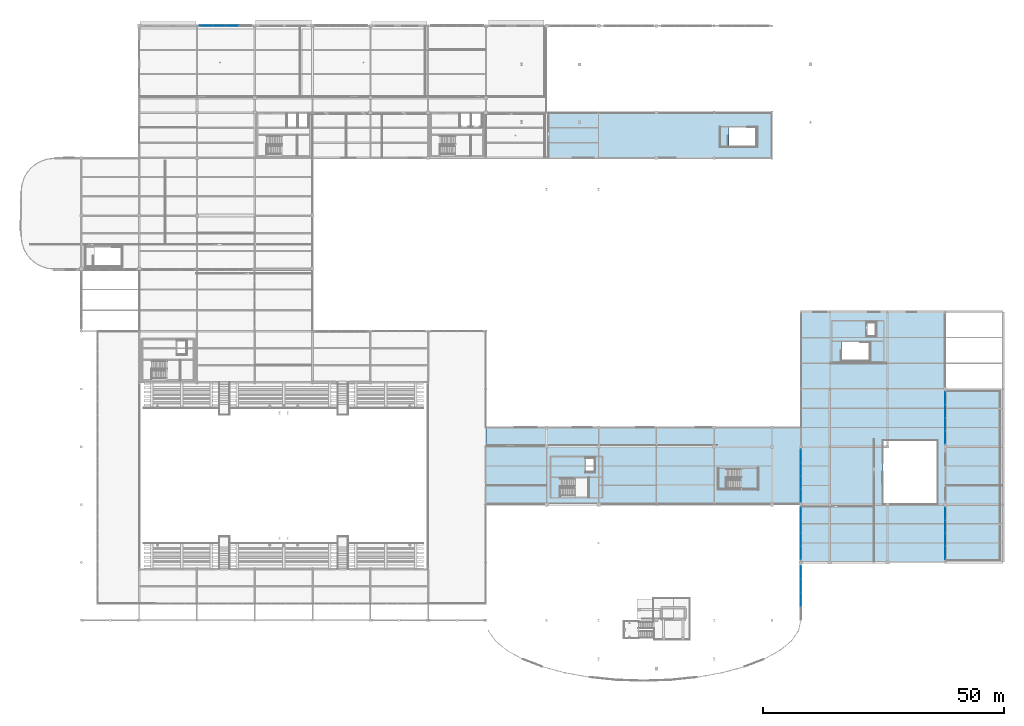
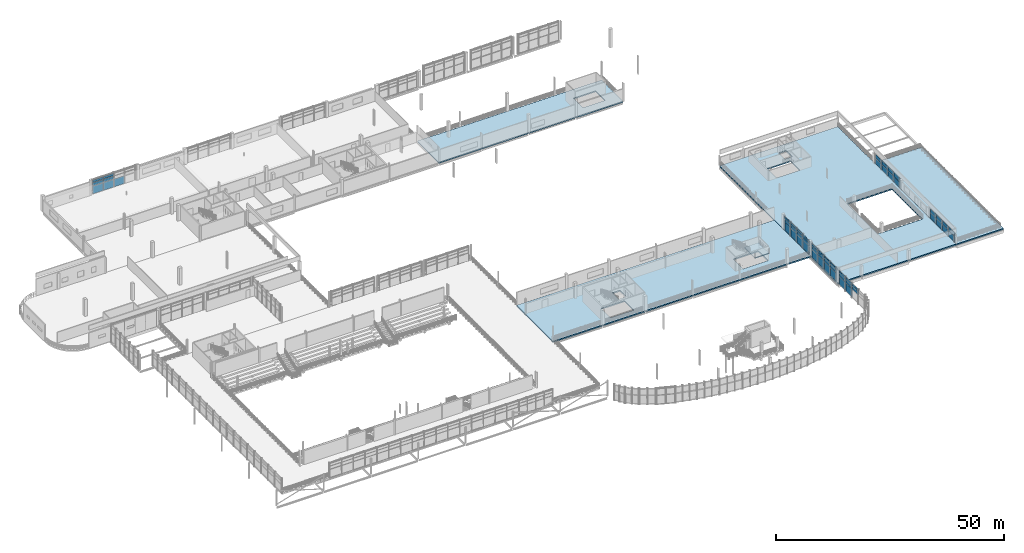
# One storey, part 61 of 89: 55 plates, 5 slabs, 7 elements without a shape of their own.
"""IFC4 building model written with IfcOpenShell, lengths in metres."""

from ifc_helpers import new_model, si_unit, direction, frame, origin, origin_2d, place, context, subcontext, project, spatial, polyline, rectangle, outline, extrude, material, layer, layer_set, type_object, element, aggregate, save


model = new_model("IFC4")

# Units and contexts
model_context = context("Model", 3, precision=1e-05, world=origin(), true_north=direction((0.0, 1.0)))
body_context = subcontext(model_context, "Body", "Model", "MODEL_VIEW")
ifc_project = project(units=[si_unit("LENGTHUNIT", "METRE"), si_unit("AREAUNIT", "SQUARE_METRE"), si_unit("VOLUMEUNIT", "CUBIC_METRE"), si_unit("PLANEANGLEUNIT", "RADIAN"), si_unit("MASSUNIT", "GRAM", prefix="KILO"), si_unit("THERMODYNAMICTEMPERATUREUNIT", "KELVIN"), si_unit("POWERUNIT", "WATT")], contexts=[model_context])

# Site, building, storey
site_placement = place(None, origin())
site = spatial("IfcSite", under=ifc_project, at=site_placement, CompositionType="ELEMENT")
building_placement = place(site_placement, origin())
building = spatial("IfcBuilding", under=site, at=building_placement, Name="Solmara Park Aquatics Centre", CompositionType="ELEMENT")
storey_placement = place(building_placement, frame((0.0, 0.0, 5.39990234375)))
storey = spatial("IfcBuildingStorey", under=building, at=storey_placement, Name="L01", CompositionType="ELEMENT", Elevation=5.39990234375)

# Curtain wall, plates
ifc_material_1 = material(Name="Anodised Aluminium Curtain Wall Framing", Category="aluminium")
curtain_wall_type_1 = type_object("IfcCurtainWallType", Name="ARC-CW-SYS06", PredefinedType="USERDEFINED", material=ifc_material_1)
curtain_wall_1_placement = place(storey_placement, origin())
curtain_wall_1 = element("IfcCurtainWall", 1, at=curtain_wall_1_placement, inside=storey, type_object=curtain_wall_type_1, Name="Curtain Wall CW-092", ObjectType="CURTAIN WALL", PredefinedType="USERDEFINED")
ifc_material_2 = material(Name="Double Low-E Solar-Control Glazing", Category="glass")
ifc_layer_1 = layer(ifc_material_2, 0.035888671875, Name="Double Low-E Solar-Control Glazing")
ifc_layer_set_1 = layer_set([ifc_layer_1], Name="Double Low-E Solar-Control Glazing")
plate_type_1 = type_object("IfcPlateType", Name="ARC-CWP-GLZ36-2620x1040", PredefinedType="CURTAIN_PANEL", material=ifc_layer_set_1)
plate_1_placement = place(storey_placement, frame((192.0, 26.530029296875, 1.63525390625), z_axis=(0.0, 0.0, 1.0), x_axis=(0.0, 1.0, 0.0)))
plate_1 = element("IfcPlate", 2, at=plate_1_placement, type_object=plate_type_1, Name="CW-092 panel 2", PredefinedType="CURTAIN_PANEL", context=body_context, shape_type="SweptSolid", body=[
    extrude(rectangle(XDim=2.6201171875, YDim=0.035888671875, at=origin_2d()), origin(), (0.0, 0.0, 1.0), 1.034912109375),
])
plate_2_placement = place(storey_placement, frame((192.0, 29.22998046875, 1.63525390625), z_axis=(0.0, 0.0, 1.0), x_axis=(0.0, 1.0, 0.0)))
plate_2 = element("IfcPlate", 3, at=plate_2_placement, type_object=plate_type_1, Name="CW-092 panel 4", PredefinedType="CURTAIN_PANEL", context=body_context, shape_type="SweptSolid", body=[
    extrude(rectangle(XDim=2.6201171875, YDim=0.035888671875, at=origin_2d()), origin(), (0.0, 0.0, 1.0), 1.034912109375),
])
plate_3_placement = place(storey_placement, frame((192.0, 31.929931640625, 1.63525390625), z_axis=(0.0, 0.0, 1.0), x_axis=(0.0, 1.0, 0.0)))
plate_3 = element("IfcPlate", 4, at=plate_3_placement, type_object=plate_type_1, Name="CW-092 panel 6", PredefinedType="CURTAIN_PANEL", context=body_context, shape_type="SweptSolid", body=[
    extrude(rectangle(XDim=2.6201171875, YDim=0.035888671875, at=origin_2d()), origin(), (0.0, 0.0, 1.0), 1.034912109375),
])
plate_4_placement = place(storey_placement, frame((192.0, 34.6298828125, 1.63525390625), z_axis=(0.0, 0.0, 1.0), x_axis=(0.0, 1.0, 0.0)))
plate_4 = element("IfcPlate", 5, at=plate_4_placement, type_object=plate_type_1, Name="CW-092 panel 8", PredefinedType="CURTAIN_PANEL", context=body_context, shape_type="SweptSolid", body=[
    extrude(rectangle(XDim=2.6201171875, YDim=0.035888671875, at=origin_2d()), origin(), (0.0, 0.0, 1.0), 1.034912109375),
])

curtain_wall_2_placement = place(storey_placement, origin())
curtain_wall_2 = element("IfcCurtainWall", 6, at=curtain_wall_2_placement, inside=storey, type_object=curtain_wall_type_1, Name="Curtain Wall CW-094", ObjectType="CURTAIN WALL", PredefinedType="USERDEFINED")
plate_5_placement = place(storey_placement, frame((192.0, 50.530029296875, 1.63525390625), z_axis=(0.0, 0.0, 1.0), x_axis=(0.0, 1.0, 0.0)))
plate_5 = element("IfcPlate", 7, at=plate_5_placement, type_object=plate_type_1, Name="CW-094 panel 2", PredefinedType="CURTAIN_PANEL", context=body_context, shape_type="SweptSolid", body=[
    extrude(rectangle(XDim=2.6201171875, YDim=0.035888671875, at=origin_2d()), origin(), (0.0, 0.0, 1.0), 1.034912109375),
])
plate_6_placement = place(storey_placement, frame((192.0, 53.22998046875, 1.63525390625), z_axis=(0.0, 0.0, 1.0), x_axis=(0.0, 1.0, 0.0)))
plate_6 = element("IfcPlate", 8, at=plate_6_placement, type_object=plate_type_1, Name="CW-094 panel 4", PredefinedType="CURTAIN_PANEL", context=body_context, shape_type="SweptSolid", body=[
    extrude(rectangle(XDim=2.6201171875, YDim=0.035888671875, at=origin_2d()), origin(), (0.0, 0.0, 1.0), 1.034912109375),
])
plate_7_placement = place(storey_placement, frame((192.0, 55.929931640625, 1.63525390625), z_axis=(0.0, 0.0, 1.0), x_axis=(0.0, 1.0, 0.0)))
plate_7 = element("IfcPlate", 9, at=plate_7_placement, type_object=plate_type_1, Name="CW-094 panel 6", PredefinedType="CURTAIN_PANEL", context=body_context, shape_type="SweptSolid", body=[
    extrude(rectangle(XDim=2.6201171875, YDim=0.035888671875, at=origin_2d()), origin(), (0.0, 0.0, 1.0), 1.034912109375),
])
plate_8_placement = place(storey_placement, frame((192.0, 58.6298828125, 1.63525390625), z_axis=(0.0, 0.0, 1.0), x_axis=(0.0, 1.0, 0.0)))
plate_8 = element("IfcPlate", 10, at=plate_8_placement, type_object=plate_type_1, Name="CW-094 panel 8", PredefinedType="CURTAIN_PANEL", context=body_context, shape_type="SweptSolid", body=[
    extrude(rectangle(XDim=2.6201171875, YDim=0.035888671875, at=origin_2d()), origin(), (0.0, 0.0, 1.0), 1.034912109375),
])

# Plate
ifc_layer_2 = layer(ifc_material_2, 0.035888671875, Name="Double Low-E Solar-Control Glazing")
ifc_layer_set_2 = layer_set([ifc_layer_2], Name="Double Low-E Solar-Control Glazing")
plate_type_2 = type_object("IfcPlateType", Name="ARC-CWP-GLZ36-2620x1480", PredefinedType="CURTAIN_PANEL", material=ifc_layer_set_2)
plate_9_placement = place(storey_placement, frame((192.0, 26.530029296875, 0.080078125), z_axis=(0.0, 0.0, 1.0), x_axis=(0.0, 1.0, 0.0)))
plate_9 = element("IfcPlate", 11, at=plate_9_placement, type_object=plate_type_2, Name="CW-092 panel 1", PredefinedType="CURTAIN_PANEL", context=body_context, shape_type="SweptSolid", body=[
    extrude(rectangle(XDim=2.6201171875, YDim=0.035888671875, at=origin_2d()), origin(), (0.0, 0.0, 1.0), 1.47509765625),
])

plate_10_placement = place(storey_placement, frame((192.0, 29.22998046875, 0.080078125), z_axis=(0.0, 0.0, 1.0), x_axis=(0.0, 1.0, 0.0)))
plate_10 = element("IfcPlate", 12, at=plate_10_placement, type_object=plate_type_2, Name="CW-092 panel 3", PredefinedType="CURTAIN_PANEL", context=body_context, shape_type="SweptSolid", body=[
    extrude(rectangle(XDim=2.6201171875, YDim=0.035888671875, at=origin_2d()), origin(), (0.0, 0.0, 1.0), 1.47509765625),
])

plate_11_placement = place(storey_placement, frame((192.0, 31.929931640625, 0.080078125), z_axis=(0.0, 0.0, 1.0), x_axis=(0.0, 1.0, 0.0)))
plate_11 = element("IfcPlate", 13, at=plate_11_placement, type_object=plate_type_2, Name="CW-092 panel 5", PredefinedType="CURTAIN_PANEL", context=body_context, shape_type="SweptSolid", body=[
    extrude(rectangle(XDim=2.6201171875, YDim=0.035888671875, at=origin_2d()), origin(), (0.0, 0.0, 1.0), 1.47509765625),
])

plate_12_placement = place(storey_placement, frame((192.0, 34.6298828125, 0.080078125), z_axis=(0.0, 0.0, 1.0), x_axis=(0.0, 1.0, 0.0)))
plate_12 = element("IfcPlate", 14, at=plate_12_placement, type_object=plate_type_2, Name="CW-092 panel 7", PredefinedType="CURTAIN_PANEL", context=body_context, shape_type="SweptSolid", body=[
    extrude(rectangle(XDim=2.6201171875, YDim=0.035888671875, at=origin_2d()), origin(), (0.0, 0.0, 1.0), 1.47509765625),
])

aggregate(curtain_wall_1, [plate_9, plate_1, plate_10, plate_2, plate_11, plate_3, plate_12, plate_4])

plate_13_placement = place(storey_placement, frame((192.0, 50.530029296875, 0.080078125), z_axis=(0.0, 0.0, 1.0), x_axis=(0.0, 1.0, 0.0)))
plate_13 = element("IfcPlate", 15, at=plate_13_placement, type_object=plate_type_2, Name="CW-094 panel 1", PredefinedType="CURTAIN_PANEL", context=body_context, shape_type="SweptSolid", body=[
    extrude(rectangle(XDim=2.6201171875, YDim=0.035888671875, at=origin_2d()), origin(), (0.0, 0.0, 1.0), 1.47509765625),
])

plate_14_placement = place(storey_placement, frame((192.0, 53.22998046875, 0.080078125), z_axis=(0.0, 0.0, 1.0), x_axis=(0.0, 1.0, 0.0)))
plate_14 = element("IfcPlate", 16, at=plate_14_placement, type_object=plate_type_2, Name="CW-094 panel 3", PredefinedType="CURTAIN_PANEL", context=body_context, shape_type="SweptSolid", body=[
    extrude(rectangle(XDim=2.6201171875, YDim=0.035888671875, at=origin_2d()), origin(), (0.0, 0.0, 1.0), 1.47509765625),
])

plate_15_placement = place(storey_placement, frame((192.0, 55.929931640625, 0.080078125), z_axis=(0.0, 0.0, 1.0), x_axis=(0.0, 1.0, 0.0)))
plate_15 = element("IfcPlate", 17, at=plate_15_placement, type_object=plate_type_2, Name="CW-094 panel 5", PredefinedType="CURTAIN_PANEL", context=body_context, shape_type="SweptSolid", body=[
    extrude(rectangle(XDim=2.6201171875, YDim=0.035888671875, at=origin_2d()), origin(), (0.0, 0.0, 1.0), 1.47509765625),
])

plate_16_placement = place(storey_placement, frame((192.0, 58.6298828125, 0.080078125), z_axis=(0.0, 0.0, 1.0), x_axis=(0.0, 1.0, 0.0)))
plate_16 = element("IfcPlate", 18, at=plate_16_placement, type_object=plate_type_2, Name="CW-094 panel 7", PredefinedType="CURTAIN_PANEL", context=body_context, shape_type="SweptSolid", body=[
    extrude(rectangle(XDim=2.6201171875, YDim=0.035888671875, at=origin_2d()), origin(), (0.0, 0.0, 1.0), 1.47509765625),
])

aggregate(curtain_wall_2, [plate_13, plate_5, plate_14, plate_6, plate_15, plate_7, plate_16, plate_8])

# Curtain wall, plates
curtain_wall_type_2 = type_object("IfcCurtainWallType", Name="ARC-CW-SYS03", PredefinedType="USERDEFINED", material=ifc_material_1)
curtain_wall_3_placement = place(storey_placement, origin())
curtain_wall_3 = element("IfcCurtainWall", 19, at=curtain_wall_3_placement, inside=storey, type_object=curtain_wall_type_2, Name="Curtain Wall CW-078", ObjectType="CURTAIN WALL", PredefinedType="USERDEFINED")
ifc_layer_3 = layer(ifc_material_2, 0.035888671875, Name="Double Low-E Solar-Control Glazing")
ifc_layer_set_3 = layer_set([ifc_layer_3], Name="Double Low-E Solar-Control Glazing")
plate_type_3 = type_object("IfcPlateType", Name="ARC-CWP-GLZ36-2620x2140", PredefinedType="CURTAIN_PANEL", material=ifc_layer_set_3)
plate_17_placement = place(storey_placement, frame((162.0, 26.530029296875, 0.080078125), z_axis=(0.0, 0.0, 1.0), x_axis=(0.0, 1.0, 0.0)))
plate_17 = element("IfcPlate", 20, at=plate_17_placement, type_object=plate_type_3, Name="CW-078 panel 1", PredefinedType="CURTAIN_PANEL", context=body_context, shape_type="SweptSolid", body=[
    extrude(rectangle(XDim=2.6201171875, YDim=0.035888671875, at=origin_2d()), origin(), (0.0, 0.0, 1.0), 2.13037109375),
])
plate_18_placement = place(storey_placement, frame((162.0, 29.22998046875, 0.080078125), z_axis=(0.0, 0.0, 1.0), x_axis=(0.0, 1.0, 0.0)))
plate_18 = element("IfcPlate", 21, at=plate_18_placement, type_object=plate_type_3, Name="CW-078 panel 4", PredefinedType="CURTAIN_PANEL", context=body_context, shape_type="SweptSolid", body=[
    extrude(rectangle(XDim=2.6201171875, YDim=0.035888671875, at=origin_2d()), origin(), (0.0, 0.0, 1.0), 2.13037109375),
])
plate_19_placement = place(storey_placement, frame((162.0, 31.929931640625, 0.080078125), z_axis=(0.0, 0.0, 1.0), x_axis=(0.0, 1.0, 0.0)))
plate_19 = element("IfcPlate", 22, at=plate_19_placement, type_object=plate_type_3, Name="CW-078 panel 7", PredefinedType="CURTAIN_PANEL", context=body_context, shape_type="SweptSolid", body=[
    extrude(rectangle(XDim=2.6201171875, YDim=0.035888671875, at=origin_2d()), origin(), (0.0, 0.0, 1.0), 2.13037109375),
])
plate_20_placement = place(storey_placement, frame((162.0, 34.6298828125, 0.080078125), z_axis=(0.0, 0.0, 1.0), x_axis=(0.0, 1.0, 0.0)))
plate_20 = element("IfcPlate", 23, at=plate_20_placement, type_object=plate_type_3, Name="CW-078 panel 10", PredefinedType="CURTAIN_PANEL", context=body_context, shape_type="SweptSolid", body=[
    extrude(rectangle(XDim=2.6201171875, YDim=0.035888671875, at=origin_2d()), origin(), (0.0, 0.0, 1.0), 2.13037109375),
])

curtain_wall_4_placement = place(storey_placement, origin())
curtain_wall_4 = element("IfcCurtainWall", 24, at=curtain_wall_4_placement, inside=storey, type_object=curtain_wall_type_2, Name="Curtain Wall CW-081", ObjectType="CURTAIN WALL", PredefinedType="USERDEFINED")
plate_21_placement = place(storey_placement, frame((162.0, 38.530029296875, 0.080078125), z_axis=(0.0, 0.0, 1.0), x_axis=(0.0, 1.0, 0.0)))
plate_21 = element("IfcPlate", 25, at=plate_21_placement, type_object=plate_type_3, Name="CW-081 panel 1", PredefinedType="CURTAIN_PANEL", context=body_context, shape_type="SweptSolid", body=[
    extrude(rectangle(XDim=2.6201171875, YDim=0.035888671875, at=origin_2d()), origin(), (0.0, 0.0, 1.0), 2.13037109375),
])
plate_22_placement = place(storey_placement, frame((162.0, 41.22998046875, 0.080078125), z_axis=(0.0, 0.0, 1.0), x_axis=(0.0, 1.0, 0.0)))
plate_22 = element("IfcPlate", 26, at=plate_22_placement, type_object=plate_type_3, Name="CW-081 panel 4", PredefinedType="CURTAIN_PANEL", context=body_context, shape_type="SweptSolid", body=[
    extrude(rectangle(XDim=2.6201171875, YDim=0.035888671875, at=origin_2d()), origin(), (0.0, 0.0, 1.0), 2.13037109375),
])
plate_23_placement = place(storey_placement, frame((162.0, 43.929931640625, 0.080078125), z_axis=(0.0, 0.0, 1.0), x_axis=(0.0, 1.0, 0.0)))
plate_23 = element("IfcPlate", 27, at=plate_23_placement, type_object=plate_type_3, Name="CW-081 panel 7", PredefinedType="CURTAIN_PANEL", context=body_context, shape_type="SweptSolid", body=[
    extrude(rectangle(XDim=2.6201171875, YDim=0.035888671875, at=origin_2d()), origin(), (0.0, 0.0, 1.0), 2.13037109375),
])
plate_24_placement = place(storey_placement, frame((162.0, 46.6298828125, 0.080078125), z_axis=(0.0, 0.0, 1.0), x_axis=(0.0, 1.0, 0.0)))
plate_24 = element("IfcPlate", 28, at=plate_24_placement, type_object=plate_type_3, Name="CW-081 panel 10", PredefinedType="CURTAIN_PANEL", context=body_context, shape_type="SweptSolid", body=[
    extrude(rectangle(XDim=2.6201171875, YDim=0.035888671875, at=origin_2d()), origin(), (0.0, 0.0, 1.0), 2.13037109375),
])

curtain_wall_type_3 = type_object("IfcCurtainWallType", Name="ARC-CW-SYS04", PredefinedType="USERDEFINED", material=ifc_material_1)
curtain_wall_5_placement = place(storey_placement, origin())
curtain_wall_5 = element("IfcCurtainWall", 29, at=curtain_wall_5_placement, inside=storey, type_object=curtain_wall_type_3, Name="Curtain Wall CW-117", ObjectType="CURTAIN WALL", PredefinedType="USERDEFINED")
plate_25_placement = place(storey_placement, frame((38.530029296875, 136.0, 0.080078125), z_axis=(0.0, 0.0, 1.0), x_axis=(1.0, 0.0, 0.0)))
plate_25 = element("IfcPlate", 30, at=plate_25_placement, type_object=plate_type_3, Name="CW-117 panel 1", PredefinedType="CURTAIN_PANEL", context=body_context, shape_type="SweptSolid", body=[
    extrude(rectangle(XDim=2.6201171875, YDim=0.035888671875, at=origin_2d()), origin(), (0.0, 0.0, 1.0), 2.13037109375),
])
plate_26_placement = place(storey_placement, frame((41.22998046875, 136.0, 0.080078125), z_axis=(0.0, 0.0, 1.0), x_axis=(1.0, 0.0, 0.0)))
plate_26 = element("IfcPlate", 31, at=plate_26_placement, type_object=plate_type_3, Name="CW-117 panel 4", PredefinedType="CURTAIN_PANEL", context=body_context, shape_type="SweptSolid", body=[
    extrude(rectangle(XDim=2.6201171875, YDim=0.035888671875, at=origin_2d()), origin(), (0.0, 0.0, 1.0), 2.13037109375),
])
plate_27_placement = place(storey_placement, frame((43.929931640625, 136.0, 0.080078125), z_axis=(0.0, 0.0, 1.0), x_axis=(1.0, 0.0, 0.0)))
plate_27 = element("IfcPlate", 32, at=plate_27_placement, type_object=plate_type_3, Name="CW-117 panel 7", PredefinedType="CURTAIN_PANEL", context=body_context, shape_type="SweptSolid", body=[
    extrude(rectangle(XDim=2.6201171875, YDim=0.035888671875, at=origin_2d()), origin(), (0.0, 0.0, 1.0), 2.13037109375),
])

# Plate
ifc_layer_4 = layer(ifc_material_2, 0.035888671875, Name="Double Low-E Solar-Control Glazing")
ifc_layer_set_4 = layer_set([ifc_layer_4], Name="Double Low-E Solar-Control Glazing")
plate_type_4 = type_object("IfcPlateType", Name="ARC-CWP-GLZ36-2620x800", PredefinedType="CURTAIN_PANEL", material=ifc_layer_set_4)
plate_28_placement = place(storey_placement, frame((162.0, 26.530029296875, 2.29052734375), z_axis=(0.0, 0.0, 1.0), x_axis=(0.0, 1.0, 0.0)))
plate_28 = element("IfcPlate", 33, at=plate_28_placement, type_object=plate_type_4, Name="CW-078 panel 2", PredefinedType="CURTAIN_PANEL", context=body_context, shape_type="SweptSolid", body=[
    extrude(rectangle(XDim=2.6201171875, YDim=0.035888671875, at=origin_2d()), origin(), (0.0, 0.0, 1.0), 0.799560546875),
])

plate_29_placement = place(storey_placement, frame((162.0, 29.22998046875, 2.29052734375), z_axis=(0.0, 0.0, 1.0), x_axis=(0.0, 1.0, 0.0)))
plate_29 = element("IfcPlate", 34, at=plate_29_placement, type_object=plate_type_4, Name="CW-078 panel 5", PredefinedType="CURTAIN_PANEL", context=body_context, shape_type="SweptSolid", body=[
    extrude(rectangle(XDim=2.6201171875, YDim=0.035888671875, at=origin_2d()), origin(), (0.0, 0.0, 1.0), 0.799560546875),
])

plate_30_placement = place(storey_placement, frame((162.0, 31.929931640625, 2.29052734375), z_axis=(0.0, 0.0, 1.0), x_axis=(0.0, 1.0, 0.0)))
plate_30 = element("IfcPlate", 35, at=plate_30_placement, type_object=plate_type_4, Name="CW-078 panel 8", PredefinedType="CURTAIN_PANEL", context=body_context, shape_type="SweptSolid", body=[
    extrude(rectangle(XDim=2.6201171875, YDim=0.035888671875, at=origin_2d()), origin(), (0.0, 0.0, 1.0), 0.799560546875),
])

plate_31_placement = place(storey_placement, frame((162.0, 34.6298828125, 2.29052734375), z_axis=(0.0, 0.0, 1.0), x_axis=(0.0, 1.0, 0.0)))
plate_31 = element("IfcPlate", 36, at=plate_31_placement, type_object=plate_type_4, Name="CW-078 panel 11", PredefinedType="CURTAIN_PANEL", context=body_context, shape_type="SweptSolid", body=[
    extrude(rectangle(XDim=2.6201171875, YDim=0.035888671875, at=origin_2d()), origin(), (0.0, 0.0, 1.0), 0.799560546875),
])

plate_32_placement = place(storey_placement, frame((162.0, 38.530029296875, 2.29052734375), z_axis=(0.0, 0.0, 1.0), x_axis=(0.0, 1.0, 0.0)))
plate_32 = element("IfcPlate", 37, at=plate_32_placement, type_object=plate_type_4, Name="CW-081 panel 2", PredefinedType="CURTAIN_PANEL", context=body_context, shape_type="SweptSolid", body=[
    extrude(rectangle(XDim=2.6201171875, YDim=0.035888671875, at=origin_2d()), origin(), (0.0, 0.0, 1.0), 0.799560546875),
])

plate_33_placement = place(storey_placement, frame((162.0, 41.22998046875, 2.29052734375), z_axis=(0.0, 0.0, 1.0), x_axis=(0.0, 1.0, 0.0)))
plate_33 = element("IfcPlate", 38, at=plate_33_placement, type_object=plate_type_4, Name="CW-081 panel 5", PredefinedType="CURTAIN_PANEL", context=body_context, shape_type="SweptSolid", body=[
    extrude(rectangle(XDim=2.6201171875, YDim=0.035888671875, at=origin_2d()), origin(), (0.0, 0.0, 1.0), 0.799560546875),
])

plate_34_placement = place(storey_placement, frame((162.0, 43.929931640625, 2.29052734375), z_axis=(0.0, 0.0, 1.0), x_axis=(0.0, 1.0, 0.0)))
plate_34 = element("IfcPlate", 39, at=plate_34_placement, type_object=plate_type_4, Name="CW-081 panel 8", PredefinedType="CURTAIN_PANEL", context=body_context, shape_type="SweptSolid", body=[
    extrude(rectangle(XDim=2.6201171875, YDim=0.035888671875, at=origin_2d()), origin(), (0.0, 0.0, 1.0), 0.799560546875),
])

plate_35_placement = place(storey_placement, frame((162.0, 46.6298828125, 2.29052734375), z_axis=(0.0, 0.0, 1.0), x_axis=(0.0, 1.0, 0.0)))
plate_35 = element("IfcPlate", 40, at=plate_35_placement, type_object=plate_type_4, Name="CW-081 panel 11", PredefinedType="CURTAIN_PANEL", context=body_context, shape_type="SweptSolid", body=[
    extrude(rectangle(XDim=2.6201171875, YDim=0.035888671875, at=origin_2d()), origin(), (0.0, 0.0, 1.0), 0.799560546875),
])

plate_36_placement = place(storey_placement, frame((38.530029296875, 136.0, 2.29052734375), z_axis=(0.0, 0.0, 1.0), x_axis=(1.0, 0.0, 0.0)))
plate_36 = element("IfcPlate", 41, at=plate_36_placement, type_object=plate_type_4, Name="CW-117 panel 2", PredefinedType="CURTAIN_PANEL", context=body_context, shape_type="SweptSolid", body=[
    extrude(rectangle(XDim=2.6201171875, YDim=0.035888671875, at=origin_2d()), origin(), (0.0, 0.0, 1.0), 0.799560546875),
])

plate_37_placement = place(storey_placement, frame((41.22998046875, 136.0, 2.29052734375), z_axis=(0.0, 0.0, 1.0), x_axis=(1.0, 0.0, 0.0)))
plate_37 = element("IfcPlate", 42, at=plate_37_placement, type_object=plate_type_4, Name="CW-117 panel 5", PredefinedType="CURTAIN_PANEL", context=body_context, shape_type="SweptSolid", body=[
    extrude(rectangle(XDim=2.6201171875, YDim=0.035888671875, at=origin_2d()), origin(), (0.0, 0.0, 1.0), 0.799560546875),
])

# Curtain wall, plates
curtain_wall_6_placement = place(storey_placement, origin())
curtain_wall_6 = element("IfcCurtainWall", 43, at=curtain_wall_6_placement, inside=storey, type_object=curtain_wall_type_2, Name="Curtain Wall CW-075", ObjectType="CURTAIN WALL", PredefinedType="USERDEFINED")
ifc_layer_5 = layer(ifc_material_2, 0.035888671875, Name="Double Low-E Solar-Control Glazing")
ifc_layer_set_5 = layer_set([ifc_layer_5], Name="Double Low-E Solar-Control Glazing")
plate_type_5 = type_object("IfcPlateType", Name="ARC-CWP-GLZ36-2760x2140", PredefinedType="CURTAIN_PANEL", material=ifc_layer_set_5)
plate_38_placement = place(storey_placement, frame((162.0, 19.719970703125, 0.080078125), z_axis=(0.0, 0.0, 1.0), x_axis=(0.0, 1.0, 0.0)))
plate_38 = element("IfcPlate", 44, at=plate_38_placement, type_object=plate_type_5, Name="CW-075 panel 7", PredefinedType="CURTAIN_PANEL", context=body_context, shape_type="SweptSolid", body=[
    extrude(rectangle(XDim=2.760009765625, YDim=0.035888671875, at=origin_2d()), origin(), (0.0, 0.0, 1.0), 2.13037109375),
])
plate_39_placement = place(storey_placement, frame((162.0, 22.56005859375, 0.080078125), z_axis=(0.0, 0.0, 1.0), x_axis=(0.0, 1.0, 0.0)))
plate_39 = element("IfcPlate", 45, at=plate_39_placement, type_object=plate_type_5, Name="CW-075 panel 10", PredefinedType="CURTAIN_PANEL", context=body_context, shape_type="SweptSolid", body=[
    extrude(rectangle(XDim=2.760009765625, YDim=0.035888671875, at=origin_2d()), origin(), (0.0, 0.0, 1.0), 2.13037109375),
])
ifc_layer_6 = layer(ifc_material_2, 0.035888671875, Name="Double Low-E Solar-Control Glazing")
ifc_layer_set_6 = layer_set([ifc_layer_6], Name="Double Low-E Solar-Control Glazing")
plate_type_6 = type_object("IfcPlateType", Name="ARC-CWP-GLZ36-2760x800", PredefinedType="CURTAIN_PANEL", material=ifc_layer_set_6)
plate_40_placement = place(storey_placement, frame((162.0, 16.8798828125, 2.29052734375), z_axis=(0.0, 0.0, 1.0), x_axis=(0.0, 1.0, 0.0)))
plate_40 = element("IfcPlate", 46, at=plate_40_placement, type_object=plate_type_6, Name="CW-075 panel 5", PredefinedType="CURTAIN_PANEL", context=body_context, shape_type="SweptSolid", body=[
    extrude(rectangle(XDim=2.760009765625, YDim=0.035888671875, at=origin_2d()), origin(), (0.0, 0.0, 1.0), 0.799560546875),
])
plate_41_placement = place(storey_placement, frame((162.0, 19.719970703125, 2.29052734375), z_axis=(0.0, 0.0, 1.0), x_axis=(0.0, 1.0, 0.0)))
plate_41 = element("IfcPlate", 47, at=plate_41_placement, type_object=plate_type_6, Name="CW-075 panel 8", PredefinedType="CURTAIN_PANEL", context=body_context, shape_type="SweptSolid", body=[
    extrude(rectangle(XDim=2.760009765625, YDim=0.035888671875, at=origin_2d()), origin(), (0.0, 0.0, 1.0), 0.799560546875),
])
plate_42_placement = place(storey_placement, frame((162.0, 22.56005859375, 2.29052734375), z_axis=(0.0, 0.0, 1.0), x_axis=(0.0, 1.0, 0.0)))
plate_42 = element("IfcPlate", 48, at=plate_42_placement, type_object=plate_type_6, Name="CW-075 panel 11", PredefinedType="CURTAIN_PANEL", context=body_context, shape_type="SweptSolid", body=[
    extrude(rectangle(XDim=2.760009765625, YDim=0.035888671875, at=origin_2d()), origin(), (0.0, 0.0, 1.0), 0.799560546875),
])

# Plate
ifc_material_3 = material(Name="Insulated Anodised Aluminium Spandrel Panel", Category="aluminium")
ifc_layer_7 = layer(ifc_material_3, 0.0439453125, Name="Insulated Anodised Aluminium Spandrel Panel")
ifc_layer_set_7 = layer_set([ifc_layer_7], Name="Insulated Anodised Aluminium Spandrel Panel")
plate_type_7 = type_object("IfcPlateType", Name="ARC-CWP-SPN44-2620x620", PredefinedType="CURTAIN_PANEL", material=ifc_layer_set_7)
plate_43_placement = place(storey_placement, frame((162.0, 26.530029296875, 3.170166015625), z_axis=(0.0, 0.0, 1.0), x_axis=(0.0, 1.0, 0.0)))
plate_43 = element("IfcPlate", 49, at=plate_43_placement, type_object=plate_type_7, Name="CW-078 panel 3", PredefinedType="CURTAIN_PANEL", context=body_context, shape_type="SweptSolid", body=[
    extrude(rectangle(XDim=2.6201171875, YDim=0.0439453125, at=origin_2d()), origin(), (0.0, 0.0, 1.0), 0.6298828125),
])

plate_44_placement = place(storey_placement, frame((162.0, 29.22998046875, 3.170166015625), z_axis=(0.0, 0.0, 1.0), x_axis=(0.0, 1.0, 0.0)))
plate_44 = element("IfcPlate", 50, at=plate_44_placement, type_object=plate_type_7, Name="CW-078 panel 6", PredefinedType="CURTAIN_PANEL", context=body_context, shape_type="SweptSolid", body=[
    extrude(rectangle(XDim=2.6201171875, YDim=0.0439453125, at=origin_2d()), origin(), (0.0, 0.0, 1.0), 0.6298828125),
])

plate_45_placement = place(storey_placement, frame((162.0, 31.929931640625, 3.170166015625), z_axis=(0.0, 0.0, 1.0), x_axis=(0.0, 1.0, 0.0)))
plate_45 = element("IfcPlate", 51, at=plate_45_placement, type_object=plate_type_7, Name="CW-078 panel 9", PredefinedType="CURTAIN_PANEL", context=body_context, shape_type="SweptSolid", body=[
    extrude(rectangle(XDim=2.6201171875, YDim=0.0439453125, at=origin_2d()), origin(), (0.0, 0.0, 1.0), 0.6298828125),
])

plate_46_placement = place(storey_placement, frame((162.0, 34.6298828125, 3.170166015625), z_axis=(0.0, 0.0, 1.0), x_axis=(0.0, 1.0, 0.0)))
plate_46 = element("IfcPlate", 52, at=plate_46_placement, type_object=plate_type_7, Name="CW-078 panel 12", PredefinedType="CURTAIN_PANEL", context=body_context, shape_type="SweptSolid", body=[
    extrude(rectangle(XDim=2.6201171875, YDim=0.0439453125, at=origin_2d()), origin(), (0.0, 0.0, 1.0), 0.6298828125),
])

aggregate(curtain_wall_3, [plate_17, plate_28, plate_43, plate_18, plate_29, plate_44, plate_19, plate_30, plate_45, plate_20, plate_31, plate_46])

plate_47_placement = place(storey_placement, frame((162.0, 38.530029296875, 3.170166015625), z_axis=(0.0, 0.0, 1.0), x_axis=(0.0, 1.0, 0.0)))
plate_47 = element("IfcPlate", 53, at=plate_47_placement, type_object=plate_type_7, Name="CW-081 panel 3", PredefinedType="CURTAIN_PANEL", context=body_context, shape_type="SweptSolid", body=[
    extrude(rectangle(XDim=2.6201171875, YDim=0.0439453125, at=origin_2d()), origin(), (0.0, 0.0, 1.0), 0.6298828125),
])

plate_48_placement = place(storey_placement, frame((162.0, 41.22998046875, 3.170166015625), z_axis=(0.0, 0.0, 1.0), x_axis=(0.0, 1.0, 0.0)))
plate_48 = element("IfcPlate", 54, at=plate_48_placement, type_object=plate_type_7, Name="CW-081 panel 6", PredefinedType="CURTAIN_PANEL", context=body_context, shape_type="SweptSolid", body=[
    extrude(rectangle(XDim=2.6201171875, YDim=0.0439453125, at=origin_2d()), origin(), (0.0, 0.0, 1.0), 0.6298828125),
])

plate_49_placement = place(storey_placement, frame((162.0, 43.929931640625, 3.170166015625), z_axis=(0.0, 0.0, 1.0), x_axis=(0.0, 1.0, 0.0)))
plate_49 = element("IfcPlate", 55, at=plate_49_placement, type_object=plate_type_7, Name="CW-081 panel 9", PredefinedType="CURTAIN_PANEL", context=body_context, shape_type="SweptSolid", body=[
    extrude(rectangle(XDim=2.6201171875, YDim=0.0439453125, at=origin_2d()), origin(), (0.0, 0.0, 1.0), 0.6298828125),
])

plate_50_placement = place(storey_placement, frame((162.0, 46.6298828125, 3.170166015625), z_axis=(0.0, 0.0, 1.0), x_axis=(0.0, 1.0, 0.0)))
plate_50 = element("IfcPlate", 56, at=plate_50_placement, type_object=plate_type_7, Name="CW-081 panel 12", PredefinedType="CURTAIN_PANEL", context=body_context, shape_type="SweptSolid", body=[
    extrude(rectangle(XDim=2.6201171875, YDim=0.0439453125, at=origin_2d()), origin(), (0.0, 0.0, 1.0), 0.6298828125),
])

aggregate(curtain_wall_4, [plate_21, plate_32, plate_47, plate_22, plate_33, plate_48, plate_23, plate_34, plate_49, plate_24, plate_35, plate_50])

plate_51_placement = place(storey_placement, frame((38.530029296875, 136.0, 3.170166015625), z_axis=(0.0, 0.0, 1.0), x_axis=(1.0, 0.0, 0.0)))
plate_51 = element("IfcPlate", 57, at=plate_51_placement, type_object=plate_type_7, Name="CW-117 panel 3", PredefinedType="CURTAIN_PANEL", context=body_context, shape_type="SweptSolid", body=[
    extrude(rectangle(XDim=2.6201171875, YDim=0.0439453125, at=origin_2d()), origin(), (0.0, 0.0, 1.0), 0.6298828125),
])

plate_52_placement = place(storey_placement, frame((41.22998046875, 136.0, 3.170166015625), z_axis=(0.0, 0.0, 1.0), x_axis=(1.0, 0.0, 0.0)))
plate_52 = element("IfcPlate", 58, at=plate_52_placement, type_object=plate_type_7, Name="CW-117 panel 6", PredefinedType="CURTAIN_PANEL", context=body_context, shape_type="SweptSolid", body=[
    extrude(rectangle(XDim=2.6201171875, YDim=0.0439453125, at=origin_2d()), origin(), (0.0, 0.0, 1.0), 0.6298828125),
])

aggregate(curtain_wall_5, [plate_25, plate_36, plate_51, plate_26, plate_37, plate_52, plate_27])

ifc_layer_8 = layer(ifc_material_3, 0.0439453125, Name="Insulated Anodised Aluminium Spandrel Panel")
ifc_layer_set_8 = layer_set([ifc_layer_8], Name="Insulated Anodised Aluminium Spandrel Panel")
plate_type_8 = type_object("IfcPlateType", Name="ARC-CWP-SPN44-2760x620", PredefinedType="CURTAIN_PANEL", material=ifc_layer_set_8)
plate_53_placement = place(storey_placement, frame((162.0, 16.8798828125, 3.170166015625), z_axis=(0.0, 0.0, 1.0), x_axis=(0.0, 1.0, 0.0)))
plate_53 = element("IfcPlate", 59, at=plate_53_placement, type_object=plate_type_8, Name="CW-075 panel 6", PredefinedType="CURTAIN_PANEL", context=body_context, shape_type="SweptSolid", body=[
    extrude(rectangle(XDim=2.760009765625, YDim=0.0439453125, at=origin_2d()), origin(), (0.0, 0.0, 1.0), 0.6298828125),
])

plate_54_placement = place(storey_placement, frame((162.0, 19.719970703125, 3.170166015625), z_axis=(0.0, 0.0, 1.0), x_axis=(0.0, 1.0, 0.0)))
plate_54 = element("IfcPlate", 60, at=plate_54_placement, type_object=plate_type_8, Name="CW-075 panel 9", PredefinedType="CURTAIN_PANEL", context=body_context, shape_type="SweptSolid", body=[
    extrude(rectangle(XDim=2.760009765625, YDim=0.0439453125, at=origin_2d()), origin(), (0.0, 0.0, 1.0), 0.6298828125),
])

plate_55_placement = place(storey_placement, frame((162.0, 22.56005859375, 3.170166015625), z_axis=(0.0, 0.0, 1.0), x_axis=(0.0, 1.0, 0.0)))
plate_55 = element("IfcPlate", 61, at=plate_55_placement, type_object=plate_type_8, Name="CW-075 panel 12", PredefinedType="CURTAIN_PANEL", context=body_context, shape_type="SweptSolid", body=[
    extrude(rectangle(XDim=2.760009765625, YDim=0.0439453125, at=origin_2d()), origin(), (0.0, 0.0, 1.0), 0.6298828125),
])

aggregate(curtain_wall_6, [plate_40, plate_53, plate_38, plate_41, plate_54, plate_39, plate_42, plate_55])

# Stair, slab
ifc_material_4 = material(Name="Concrete C40/50", Category="concrete")
stair_type = type_object("IfcStairType", Name="ARC-ST-ESC", PredefinedType="HALF_TURN_STAIR", material=ifc_material_4)
stair_placement = place(storey_placement, origin())
stair = element("IfcStair", 62, at=stair_placement, inside=storey, type_object=stair_type, Name="Diving Pavilion Escape Stair ST-09 (L01-L02)", PredefinedType="HALF_TURN_STAIR")
ifc_layer_9 = layer(ifc_material_4, 0.219970703125, Name="Concrete C40/50")
ifc_layer_set_9 = layer_set([ifc_layer_9], Name="Concrete C40/50")
slab_type_1 = type_object("IfcSlabType", Name="ARC-SLB-LND220", PredefinedType="LANDING", material=ifc_layer_set_9)
slab_1_placement = place(storey_placement, frame((0.0, 0.0, 1.880126953125)))
slab_1 = element("IfcSlab", 63, at=slab_1_placement, type_object=slab_type_1, Name="ST-09 landing 1", PredefinedType="LANDING", context=body_context, shape_type="SweptSolid", body=[
    extrude(outline(polyline([(149.590087890625, 39.580078125), (153.179931640625, 39.580078125), (153.179931640625, 44.219970703125), (149.590087890625, 44.219970703125), (149.590087890625, 39.580078125)])), origin(), (0.0, 0.0, 1.0), 0.219970703125),
])
aggregate(stair, [slab_1])

# Slabs
ifc_layer_10 = layer(ifc_material_4, 0.320068359375, Name="Concrete C40/50")
ifc_layer_set_10 = layer_set([ifc_layer_10], Name="Concrete C40/50")
slab_type_2 = type_object("IfcSlabType", Name="STR-SLB-GYM320", PredefinedType="FLOOR", material=ifc_layer_set_10)
slab_2_placement = place(storey_placement, frame((0.0, 0.0, -0.31982421875)))
element("IfcSlab", 64, at=slab_2_placement, inside=storey, type_object=slab_type_2, Name="Diving Pavilion L01 Viewing & Dry-Training Slab", PredefinedType="FLOOR", context=body_context, shape_type="SweptSolid", body=[
    extrude(outline(polyline([(96.60009765625, 36.60009765625), (162.0, 36.60009765625), (162.0, 52.60009765625), (96.60009765625, 52.60009765625), (96.60009765625, 36.60009765625)]), holes=[polyline([(112.14990234375, 38.1298828125), (118.050048828125, 38.1298828125), (118.050048828125, 42.27001953125), (112.14990234375, 42.27001953125), (112.14990234375, 38.1298828125)]), polyline([(117.320068359375, 43.39990234375), (119.14990234375, 43.39990234375), (119.14990234375, 46.199951171875), (117.320068359375, 46.199951171875), (117.320068359375, 43.39990234375)]), polyline([(146.679931640625, 39.800048828125), (153.06005859375, 39.800048828125), (153.06005859375, 44.10009765625), (146.679931640625, 44.10009765625), (146.679931640625, 39.800048828125)])]), origin(), (0.0, 0.0, 1.0), 0.31982421875),
])
slab_3_placement = place(storey_placement, frame((0.0, 0.0, -0.31982421875)))
element("IfcSlab", 65, at=slab_3_placement, inside=storey, type_object=slab_type_2, Name="Entrance Foyer L01 Gallery Mezzanine", PredefinedType="FLOOR", context=body_context, shape_type="SweptSolid", body=[
    extrude(outline(polyline([(162.0, 24.60009765625), (192.0, 24.60009765625), (192.0, 76.60009765625), (162.0, 76.60009765625), (162.0, 24.60009765625)]), holes=[polyline([(179.0, 36.60009765625), (190.39990234375, 36.60009765625), (190.39990234375, 50.0), (179.0, 50.0), (179.0, 36.60009765625)]), polyline([(170.550048828125, 66.330078125), (176.449951171875, 66.330078125), (176.449951171875, 70.469970703125), (170.550048828125, 70.469970703125), (170.550048828125, 66.330078125)]), polyline([(175.719970703125, 71.60009765625), (177.550048828125, 71.60009765625), (177.550048828125, 74.39990234375), (175.719970703125, 74.39990234375), (175.719970703125, 71.60009765625)])]), origin(), (0.0, 0.0, 1.0), 0.31982421875),
])
slab_4_placement = place(storey_placement, frame((0.0, 0.0, -0.31982421875)))
element("IfcSlab", 66, at=slab_4_placement, inside=storey, type_object=slab_type_2, Name="L01 Park-Facing Cafe Terrace Slab", PredefinedType="FLOOR", context=body_context, shape_type="SweptSolid", body=[
    extrude(outline(polyline([(192.0, 24.60009765625), (204.0, 24.60009765625), (204.0, 60.60009765625), (192.0, 60.60009765625), (192.0, 24.60009765625)])), origin(), (0.0, 0.0, 1.0), 0.31982421875),
])
slab_5_placement = place(storey_placement, frame((0.0, 0.0, -0.31982421875)))
element("IfcSlab", 67, at=slab_5_placement, inside=storey, type_object=slab_type_2, Name="Training Pool Viewing Gallery L01 Slab", PredefinedType="FLOOR", context=body_context, shape_type="SweptSolid", body=[
    extrude(outline(polyline([(109.199951171875, 108.60009765625), (156.0, 108.60009765625), (156.0, 118.0), (109.199951171875, 118.0), (109.199951171875, 108.60009765625)]), holes=[polyline([(147.080078125, 110.85009765625), (152.760009765625, 110.85009765625), (152.760009765625, 115.050048828125), (147.080078125, 115.050048828125), (147.080078125, 110.85009765625)])]), origin(), (0.0, 0.0, 1.0), 0.31982421875),
])

save(model, "model.ifc")
